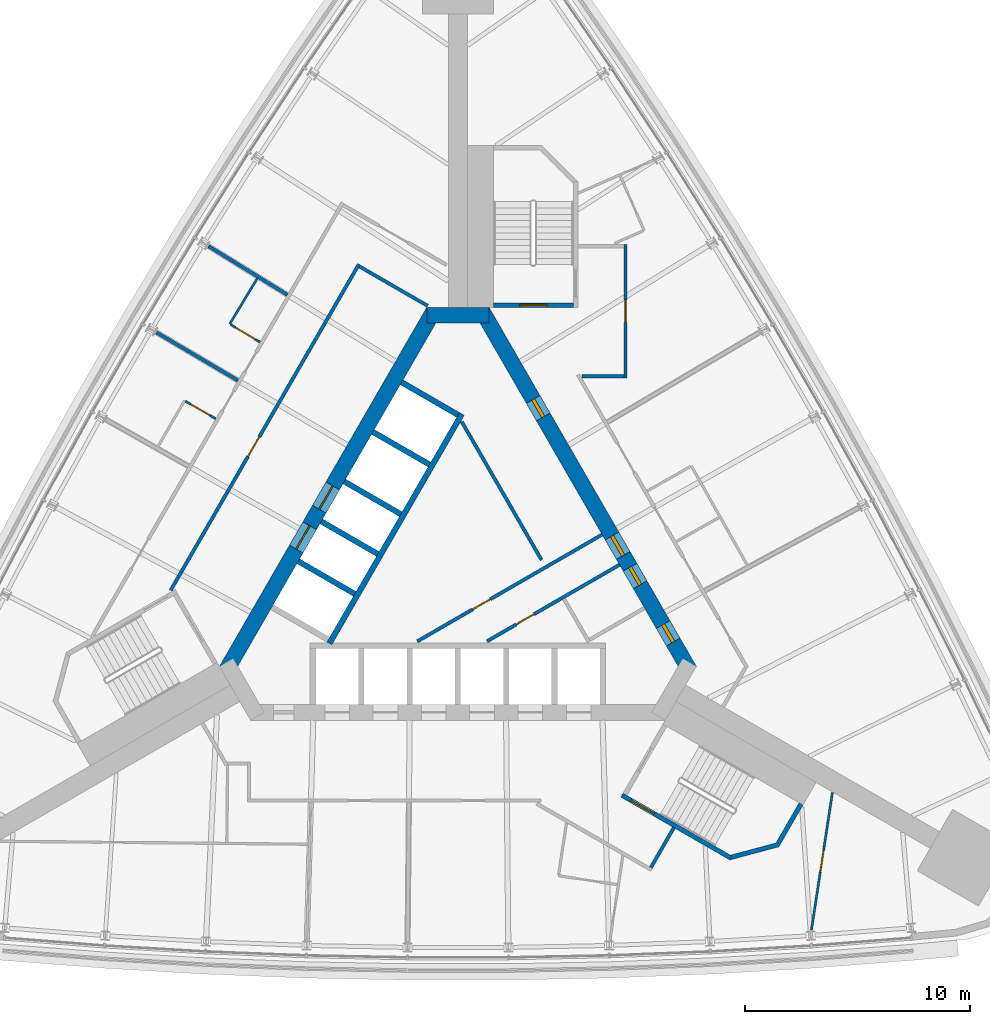
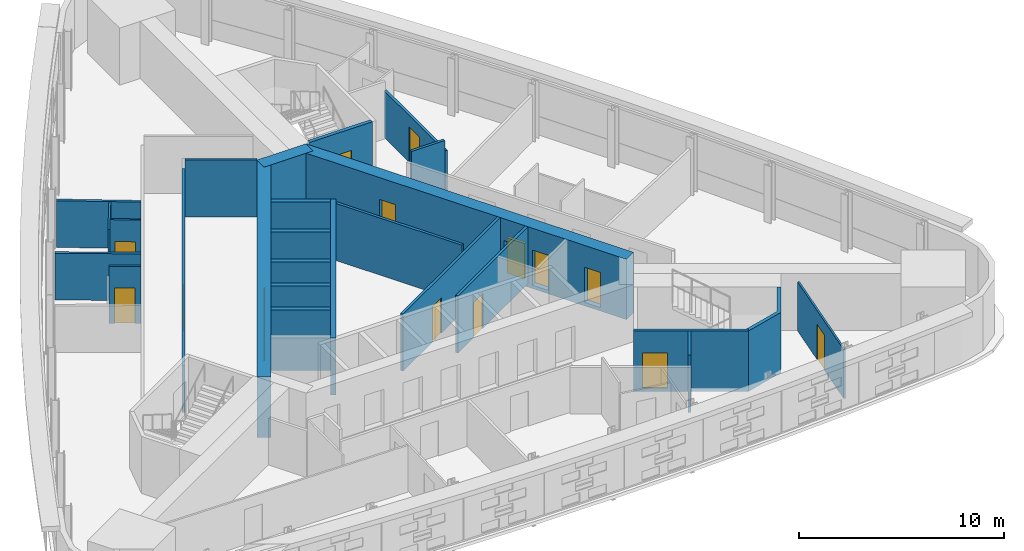
# One storey, part 9 of 13: 26 walls, 15 doors, 15 openings.
"""IFC4 building model written with IfcOpenShell, lengths in metres."""

import ifcopenshell
import ifcopenshell.guid

model = None  # the IFC model being written
_history = None  # IfcOwnerHistory: only IFC2X3 demands one
_inside = {}  # id of a spatial element -> (the spatial element, [elements in it])
_under = {}  # id of a project, library or spatial element -> (it, [spatial elements below it])
_declared = {}  # id of a project -> (the project, [libraries it declares])
_typed = {}  # id of a type object -> (the type object, [elements of that type])
_made_of = {}  # id of a material, layer set ... -> (it, [elements and type objects made of it])


def new_model(schema):
    """Start an empty IFC model of exactly this schema.

    Asked for "IFC4X3", IfcOpenShell would pick the latest addendum, in which some entities
    have other attributes; the version numbers below select the first issue.
    IFC2X3 requires an IfcOwnerHistory on every rooted entity: one is made here for all.
    """
    global model, _history
    if schema == "IFC4X3":
        model = ifcopenshell.file(schema_version=(4, 3, 0, 0))
    else:
        model = ifcopenshell.file(schema=schema)
    _inside.clear()
    _under.clear()
    _declared.clear()
    _typed.clear()
    _made_of.clear()
    _history = None
    if model.schema == "IFC2X3":
        org = make("IfcOrganization", Name="unknown")
        user = make(
            "IfcPersonAndOrganization",
            ThePerson=make("IfcPerson", FamilyName="unknown"),
            TheOrganization=org,
        )
        app = make(
            "IfcApplication",
            ApplicationDeveloper=org,
            Version="unknown",
            ApplicationFullName="unknown",
            ApplicationIdentifier="unknown",
        )
        _history = make(
            "IfcOwnerHistory",
            OwningUser=user,
            OwningApplication=app,
            ChangeAction="ADDED",
            CreationDate=0,
        )
    return model


def make(cls, **values):
    """One entity of the class cls with the attributes given. An attribute that is None is left unset."""
    return model.create_entity(
        cls, **{name: value for name, value in values.items() if value is not None}
    )


def rooted(cls, **values):
    """An entity with a GlobalId (a new one), such as an element, a storey or a relation."""
    return make(cls, GlobalId=ifcopenshell.guid.new(), OwnerHistory=_history, **values)


def si_unit(unit_type, name, prefix=None):
    """IfcSIUnit, for example si_unit("LENGTHUNIT", "METRE", prefix="MILLI")."""
    return make("IfcSIUnit", UnitType=unit_type, Prefix=prefix, Name=name)


def assignment(units):
    """IfcUnitAssignment: the units of a project."""
    return None if units is None else make("IfcUnitAssignment", Units=units)


def point(xyz):
    """IfcCartesianPoint."""
    return None if xyz is None else make("IfcCartesianPoint", Coordinates=xyz)


def direction(xyz):
    """IfcDirection."""
    return None if xyz is None else make("IfcDirection", DirectionRatios=xyz)


def frame(location, z_axis=None, x_axis=None):
    """IfcAxis2Placement3D, a coordinate frame: its origin and axes. An axis left out is left unset."""
    return make(
        "IfcAxis2Placement3D",
        Location=point(location),
        Axis=direction(z_axis),
        RefDirection=direction(x_axis),
    )


def frame_2d(location, x_axis=None):
    """IfcAxis2Placement2D, a coordinate frame in the plane: its origin and x axis."""
    return make(
        "IfcAxis2Placement2D", Location=point(location), RefDirection=direction(x_axis)
    )


def origin():
    """The frame at (0, 0, 0) with its axes left unset."""
    return frame((0.0, 0.0, 0.0))


def place(relative_to, where):
    """IfcLocalPlacement: puts the frame where relative to a parent placement (None: the world)."""
    return make(
        "IfcLocalPlacement", PlacementRelTo=relative_to, RelativePlacement=where
    )


def context(
    kind, dimensions, precision=None, world=None, true_north=None, identifier=None
):
    """IfcGeometricRepresentationContext, for example the 3D "Model" context."""
    return make(
        "IfcGeometricRepresentationContext",
        ContextIdentifier=identifier,
        ContextType=kind,
        CoordinateSpaceDimension=dimensions,
        Precision=precision,
        WorldCoordinateSystem=world,
        TrueNorth=true_north,
    )


def subcontext(parent, identifier, kind, view, scale=None):
    """IfcGeometricRepresentationSubContext, for example "Body" below "Model"."""
    return make(
        "IfcGeometricRepresentationSubContext",
        ContextIdentifier=identifier,
        ContextType=kind,
        ParentContext=parent,
        TargetScale=scale,
        TargetView=view,
    )


def project(units=None, contexts=None):
    """IfcProject with its units and contexts."""
    return rooted(
        "IfcProject",
        Name="project",
        RepresentationContexts=contexts,
        UnitsInContext=assignment(units),
    )


def spatial(cls, under=None, at=None, **own):
    """A site, building, storey or space (cls), placed at a placement, below another one or the project."""
    s = rooted(cls, ObjectPlacement=at, **own)
    if under is not None:
        _under.setdefault(under.id(), (under, []))[1].append(s)
    return s


def polyline(points):
    """IfcPolyline through the points."""
    return make("IfcPolyline", Points=[point(p) for p in points])


def profile(cls, at=None, kind="AREA", **sizes):
    """A parametric profile (cls). Its sizes go by their IFC names, for example OverallWidth=200.0."""
    return make(cls, ProfileType=kind, Position=at, **sizes)


def rectangle(**sizes):
    """IfcRectangleProfileDef."""
    return profile("IfcRectangleProfileDef", **sizes)


def outline(outer, holes=None, kind="AREA"):
    """IfcArbitraryClosedProfileDef: a profile drawn as a closed curve; with holes, ...WithVoids."""
    if holes is None:
        return make("IfcArbitraryClosedProfileDef", ProfileType=kind, OuterCurve=outer)
    return make(
        "IfcArbitraryProfileDefWithVoids",
        ProfileType=kind,
        OuterCurve=outer,
        InnerCurves=holes,
    )


def extrude(swept, where, along, depth):
    """IfcExtrudedAreaSolid: the profile swept, set in the frame where, extruded along a direction by depth."""
    return make(
        "IfcExtrudedAreaSolid",
        SweptArea=swept,
        Position=where,
        ExtrudedDirection=direction(along),
        Depth=depth,
    )


def shape(context_of_items, identifier, shape_type, items):
    """IfcShapeRepresentation: the items that make up one representation, for example the "Body"."""
    return make(
        "IfcShapeRepresentation",
        ContextOfItems=context_of_items,
        RepresentationIdentifier=identifier,
        RepresentationType=shape_type,
        Items=items,
    )


def material(Name=None, Category=None):
    """IfcMaterial."""
    return make("IfcMaterial", Name=Name, Category=Category)


def layer(
    of_material, thickness, ventilated=None, Name=None, Category=None, Priority=None
):
    """IfcMaterialLayer: one layer of a wall or slab, of a material (None: an air gap)."""
    return make(
        "IfcMaterialLayer",
        Material=of_material,
        LayerThickness=thickness,
        IsVentilated=ventilated,
        Name=Name,
        Category=Category,
        Priority=Priority,
    )


def layer_set(layers, Name=None):
    """IfcMaterialLayerSet."""
    return make("IfcMaterialLayerSet", MaterialLayers=layers, LayerSetName=Name)


def made_of(thing, what):
    """Note that an element or type object is made of a material, layer set ...; save() writes the relation."""
    if what is not None:
        _made_of.setdefault(what.id(), (what, []))[1].append(thing)
    return thing


def type_object(cls, material=None, **own):
    """A type object (cls), such as IfcWallType, which elements share."""
    return made_of(rooted(cls, **own), material)


def element(
    cls,
    number,
    at=None,
    inside=None,
    cuts=None,
    type_object=None,
    material=None,
    context=None,
    identifier="Body",
    shape_type=None,
    held_by="IfcProductDefinitionShape",
    body=None,
    shapes=None,
    **own,
):
    """One element of the class cls, such as IfcWall. Its Tag is "e" and its number.

    at: its placement. inside: the storey or other place that contains it. cuts: it is an
    opening in that element (IfcRelVoidsElement). A single representation is given by context,
    identifier, shape_type and body (its items); several are given by shapes. held_by: the class
    of the entity that holds the representations. save() writes the other relations.
    """
    e = rooted(cls, Tag="e%d" % number, ObjectPlacement=at, **own)
    if body is not None:
        shapes = [shape(context, identifier, shape_type, body)]
    if shapes is not None:
        e.Representation = make(held_by, Representations=shapes)
    if inside is not None:
        _inside.setdefault(inside.id(), (inside, []))[1].append(e)
    if cuts is not None:
        rooted(
            "IfcRelVoidsElement", RelatingBuildingElement=cuts, RelatedOpeningElement=e
        )
    if type_object is not None:
        _typed.setdefault(type_object.id(), (type_object, []))[1].append(e)
    return made_of(e, material)


def fill(opening, filler):
    """IfcRelFillsElement: the door or window that sits in an opening."""
    return rooted(
        "IfcRelFillsElement",
        RelatingOpeningElement=opening,
        RelatedBuildingElement=filler,
    )


def aggregate(whole, parts):
    """IfcRelAggregates: a whole, such as a stair, and the parts it consists of."""
    return rooted("IfcRelAggregates", RelatingObject=whole, RelatedObjects=parts)


def save(model, path):
    """Write the relations noted so far, then the file.

    IfcRelAggregates (storeys below a building ...), IfcRelContainedInSpatialStructure (elements
    in a storey), IfcRelDefinesByType, IfcRelAssociatesMaterial and IfcRelDeclares: one each for
    every whole, place, type object, material and project.
    """
    for whole, parts in _under.values():
        aggregate(whole, parts)
    for where, things in _inside.values():
        rooted(
            "IfcRelContainedInSpatialStructure",
            RelatedElements=things,
            RelatingStructure=where,
        )
    for kind, things in _typed.values():
        rooted("IfcRelDefinesByType", RelatedObjects=things, RelatingType=kind)
    for what, things in _made_of.values():
        rooted("IfcRelAssociatesMaterial", RelatedObjects=things, RelatingMaterial=what)
    for by, libraries in _declared.values():
        rooted("IfcRelDeclares", RelatingContext=by, RelatedDefinitions=libraries)
    model.write(path)


model = new_model("IFC4")

# Units and contexts
model_context = context("Model", 3, precision=1e-05, world=origin(), true_north=direction((0.0, 1.0)))
body_context = subcontext(model_context, "Body", "Model", "MODEL_VIEW")
ifc_project = project(units=[si_unit("LENGTHUNIT", "METRE"), si_unit("AREAUNIT", "SQUARE_METRE"), si_unit("VOLUMEUNIT", "CUBIC_METRE"), si_unit("PLANEANGLEUNIT", "RADIAN"), si_unit("MASSUNIT", "GRAM", prefix="KILO")], contexts=[model_context])

# Site, building, storey
site_placement = place(None, origin())
site = spatial("IfcSite", under=ifc_project, at=site_placement, CompositionType="ELEMENT")
building_placement = place(site_placement, origin())
building = spatial("IfcBuilding", under=site, at=building_placement, Name="Noor Cloister Tower", CompositionType="ELEMENT")
storey_placement = place(building_placement, frame((0.0, 0.0, 79.800048828125)))
storey = spatial("IfcBuildingStorey", under=building, at=storey_placement, Name="L20", CompositionType="ELEMENT", Elevation=79.800048828125)

# Wall, opening, door
ifc_material_1 = material(Name="Concrete C30/37", Category="concrete")
ifc_layer_1 = layer(ifc_material_1, 0.14990234375)
ifc_layer_set_1 = layer_set([ifc_layer_1], Name="Core partition 150 C30/37")
wall_type_1 = type_object("IfcWallType", Name="Core partition 150 C30/37", PredefinedType="PARTITIONING", material=ifc_layer_set_1)
wall_1_placement = place(storey_placement, frame((-1.804443359375, -3.4130859375, 0.0), z_axis=(0.0, 0.0, 1.0), x_axis=(0.866035761792, 0.499982058975, 0.0)))
wall_1 = element("IfcWall", 1, at=wall_1_placement, inside=storey, type_object=wall_type_1, Name="Core room partition L20 1", PredefinedType="PARTITIONING", context=body_context, shape_type="SweptSolid", body=[
    extrude(rectangle(XDim=9.497314453125, YDim=0.14990234375, at=frame_2d((4.74853515625, 0.0))), origin(), (0.0, 0.0, 1.0), 3.39990234375),
])
opening_1_placement = place(wall_1_placement, frame((2.849609375, 0.0, 0.0)))
opening_1 = element("IfcOpeningElement", 2, at=opening_1_placement, cuts=wall_1, Name="Opening L20-906", PredefinedType="OPENING", context=body_context, shape_type="SweptSolid", body=[
    extrude(rectangle(XDim=0.89990234375, YDim=2.10009765625, at=frame_2d((0.449951171875, 1.050048828125))), frame((0.0, 0.0849609375, 0.0), z_axis=(0.0, -1.0, 0.0), x_axis=(1.0, 0.0, 0.0)), (0.0, 0.0, 1.0), 0.169921875),
])
ifc_material_2 = material(Name="Steel", Category="steel")
door_type_1 = type_object("IfcDoorType", Name="Core door 900 x 2100 FD60", OperationType="SINGLE_SWING_LEFT", PredefinedType="DOOR", material=ifc_material_2)
door_1_placement = place(opening_1_placement, origin())
door_1 = element("IfcDoor", 3, at=door_1_placement, inside=storey, type_object=door_type_1, Name="Core door 6 L20", OperationType="SINGLE_SWING_RIGHT", OverallHeight=2.10009765625, OverallWidth=0.89990234375, PredefinedType="DOOR", context=body_context, shape_type="SweptSolid", body=[
    extrude(rectangle(XDim=0.89990234375, YDim=2.10009765625, at=frame_2d((0.449951171875, 1.050048828125))), frame((0.0, 0.02490234375, 0.0), z_axis=(0.0, -1.0, 0.0), x_axis=(1.0, 0.0, 0.0)), (0.0, 0.0, 1.0), 0.050048828125),
])
fill(opening_1, door_1)

# Wall
wall_2_placement = place(storey_placement, frame((3.7216796875, 0.210205078125, 0.0), z_axis=(0.0, 0.0, 1.0), x_axis=(-0.500005825834, 0.866022040212, 0.0)))
element("IfcWall", 4, at=wall_2_placement, inside=storey, type_object=wall_type_1, Name="Core room partition L20 2", PredefinedType="PARTITIONING", context=body_context, shape_type="SweptSolid", body=[
    extrude(rectangle(XDim=7.10986328125, YDim=0.14990234375, at=frame_2d((3.554931640625, 0.0))), origin(), (0.0, 0.0, 1.0), 3.39990234375),
])

# Wall, opening, door
wall_3_placement = place(storey_placement, frame((1.295654296875, -3.4130859375, 0.0), z_axis=(0.0, 0.0, 1.0), x_axis=(0.866029230515, 0.49999337185, 0.0)))
wall_3 = element("IfcWall", 5, at=wall_3_placement, inside=storey, type_object=wall_type_1, Name="Core room partition L20 3", PredefinedType="PARTITIONING", context=body_context, shape_type="SweptSolid", body=[
    extrude(rectangle(XDim=6.8125, YDim=0.14990234375, at=frame_2d((3.40625, 0.0))), origin(), (0.0, 0.0, 1.0), 3.39990234375),
])
opening_2_placement = place(wall_3_placement, frame((1.50732421875, 0.0, 0.0)))
opening_2 = element("IfcOpeningElement", 6, at=opening_2_placement, cuts=wall_3, Name="Opening L20-905", PredefinedType="OPENING", context=body_context, shape_type="SweptSolid", body=[
    extrude(rectangle(XDim=0.89990234375, YDim=2.10009765625, at=frame_2d((0.449951171875, 1.050048828125))), frame((0.0, 0.0849609375, 0.0), z_axis=(0.0, -1.0, 0.0), x_axis=(1.0, 0.0, 0.0)), (0.0, 0.0, 1.0), 0.169921875),
])
ifc_material_3 = material(Name="Steel", Category="steel")
door_type_2 = type_object("IfcDoorType", Name="Core door 900 x 2100 FD120", OperationType="SINGLE_SWING_LEFT", PredefinedType="DOOR", material=ifc_material_3)
door_2_placement = place(opening_2_placement, origin())
door_2 = element("IfcDoor", 7, at=door_2_placement, inside=storey, type_object=door_type_2, Name="Core door 5 L20", OperationType="SINGLE_SWING_LEFT", OverallHeight=2.10009765625, OverallWidth=0.89990234375, PredefinedType="DOOR", context=body_context, shape_type="SweptSolid", body=[
    extrude(rectangle(XDim=0.89990234375, YDim=2.10009765625, at=frame_2d((0.449951171875, 1.050048828125))), frame((0.0, 0.02490234375, 0.0), z_axis=(0.0, -1.0, 0.0), x_axis=(1.0, 0.0, 0.0)), (0.0, 0.0, 1.0), 0.050048828125),
])
fill(opening_2, door_2)

# Wall, openings, doors
ifc_material_4 = material(Name="Concrete C80/95", Category="concrete")
ifc_layer_2 = layer(ifc_material_4, 0.699951171875)
ifc_layer_set_2 = layer_set([ifc_layer_2], Name="Core wall 700 C80/95")
wall_type_2 = type_object("IfcWallType", Name="Core wall 700 C80/95", PredefinedType="SHEAR", material=ifc_layer_set_2)
wall_4_placement = place(storey_placement, frame((10.311279296875, -4.703125, -0.199951171875), z_axis=(0.0, 0.0, 1.0), x_axis=(-0.500001446645, 0.866024568562, 0.0)))
wall_4 = element("IfcWall", 8, at=wall_4_placement, inside=storey, type_object=wall_type_2, Name="Core wall L20 3", PredefinedType="SHEAR", context=body_context, shape_type="SweptSolid", body=[
    extrude(rectangle(XDim=18.45751953125, YDim=0.699951171875, at=frame_2d((9.228759765625, 0.0))), origin(), (0.0, 0.0, 1.0), 3.599853515625),
])
opening_3_placement = place(wall_4_placement, frame((5.89990234375, 0.0, 0.199951171875)))
opening_3 = element("IfcOpeningElement", 9, at=opening_3_placement, cuts=wall_4, Name="Opening L20-901", PredefinedType="OPENING", context=body_context, shape_type="SweptSolid", body=[
    extrude(rectangle(XDim=1.0, YDim=2.10009765625, at=frame_2d((0.5, 1.050048828125))), frame((0.0, 0.35986328125, 0.0), z_axis=(0.0, -1.0, 0.0), x_axis=(1.0, 0.0, 0.0)), (0.0, 0.0, 1.0), 0.719970703125),
])
opening_4_placement = place(wall_4_placement, frame((1.451904296875, 0.0, 0.199951171875)))
opening_4 = element("IfcOpeningElement", 10, at=opening_4_placement, cuts=wall_4, Name="Opening L20-902", PredefinedType="OPENING", context=body_context, shape_type="SweptSolid", body=[
    extrude(rectangle(XDim=0.89990234375, YDim=2.10009765625, at=frame_2d((0.449951171875, 1.050048828125))), frame((0.0, 0.35986328125, 0.0), z_axis=(0.0, -1.0, 0.0), x_axis=(1.0, 0.0, 0.0)), (0.0, 0.0, 1.0), 0.719970703125),
])
opening_5_placement = place(wall_4_placement, frame((4.39599609375, 0.0, 0.199951171875)))
opening_5 = element("IfcOpeningElement", 11, at=opening_5_placement, cuts=wall_4, Name="Opening L20-903", PredefinedType="OPENING", context=body_context, shape_type="SweptSolid", body=[
    extrude(rectangle(XDim=0.89990234375, YDim=2.10009765625, at=frame_2d((0.449951171875, 1.050048828125))), frame((0.0, 0.35986328125, 0.0), z_axis=(0.0, -1.0, 0.0), x_axis=(1.0, 0.0, 0.0)), (0.0, 0.0, 1.0), 0.719970703125),
])
opening_6_placement = place(wall_4_placement, frame((13.022705078125, 0.0, 0.199951171875)))
opening_6 = element("IfcOpeningElement", 12, at=opening_6_placement, cuts=wall_4, Name="Opening L20-904", PredefinedType="OPENING", context=body_context, shape_type="SweptSolid", body=[
    extrude(rectangle(XDim=0.89990234375, YDim=2.10009765625, at=frame_2d((0.449951171875, 1.050048828125))), frame((0.0, 0.35986328125, 0.0), z_axis=(0.0, -1.0, 0.0), x_axis=(1.0, 0.0, 0.0)), (0.0, 0.0, 1.0), 0.719970703125),
])
ifc_material_5 = material(Name="Steel", Category="steel")
door_type_3 = type_object("IfcDoorType", Name="Core door 1000 x 2100 FD120", OperationType="SINGLE_SWING_LEFT", PredefinedType="DOOR", material=ifc_material_5)
door_3_placement = place(opening_3_placement, origin())
door_3 = element("IfcDoor", 13, at=door_3_placement, inside=storey, type_object=door_type_3, Name="Core door 1 L20", OperationType="SINGLE_SWING_LEFT", OverallHeight=2.10009765625, OverallWidth=1.0, PredefinedType="DOOR", context=body_context, shape_type="SweptSolid", body=[
    extrude(rectangle(XDim=1.0, YDim=2.10009765625, at=frame_2d((0.5, 1.050048828125))), frame((0.0, 0.074951171875, 0.0), z_axis=(0.0, -1.0, 0.0), x_axis=(1.0, 0.0, 0.0)), (0.0, 0.0, 1.0), 0.14990234375),
])
fill(opening_3, door_3)
door_4_placement = place(opening_5_placement, origin())
door_4 = element("IfcDoor", 14, at=door_4_placement, inside=storey, type_object=door_type_2, Name="Core door 3 L20", OperationType="SINGLE_SWING_LEFT", OverallHeight=2.10009765625, OverallWidth=0.89990234375, PredefinedType="DOOR", context=body_context, shape_type="SweptSolid", body=[
    extrude(rectangle(XDim=0.89990234375, YDim=2.10009765625, at=frame_2d((0.449951171875, 1.050048828125))), frame((0.0, 0.074951171875, 0.0), z_axis=(0.0, -1.0, 0.0), x_axis=(1.0, 0.0, 0.0)), (0.0, 0.0, 1.0), 0.14990234375),
])
fill(opening_5, door_4)
door_5_placement = place(opening_6_placement, origin())
door_5 = element("IfcDoor", 15, at=door_5_placement, inside=storey, type_object=door_type_2, Name="Core door 4 L20", OperationType="SINGLE_SWING_RIGHT", OverallHeight=2.10009765625, OverallWidth=0.89990234375, PredefinedType="DOOR", context=body_context, shape_type="SweptSolid", body=[
    extrude(rectangle(XDim=0.89990234375, YDim=2.10009765625, at=frame_2d((0.449951171875, 1.050048828125))), frame((0.0, 0.074951171875, 0.0), z_axis=(0.0, -1.0, 0.0), x_axis=(1.0, 0.0, 0.0)), (0.0, 0.0, 1.0), 0.14990234375),
])
fill(opening_6, door_5)
door_6_placement = place(opening_4_placement, origin())
door_6 = element("IfcDoor", 16, at=door_6_placement, inside=storey, type_object=door_type_1, Name="Core door 2 L20", OperationType="SINGLE_SWING_RIGHT", OverallHeight=2.10009765625, OverallWidth=0.89990234375, PredefinedType="DOOR", context=body_context, shape_type="SweptSolid", body=[
    extrude(rectangle(XDim=0.89990234375, YDim=2.10009765625, at=frame_2d((0.449951171875, 1.050048828125))), frame((0.0, 0.074951171875, 0.0), z_axis=(0.0, -1.0, 0.0), x_axis=(1.0, 0.0, 0.0)), (0.0, 0.0, 1.0), 0.14990234375),
])
fill(opening_4, door_6)

# Wall
wall_5_placement = place(storey_placement, frame((1.3857421875, 11.1064453125, -0.199951171875), z_axis=(0.0, 0.0, 1.0), x_axis=(-1.0, 0.0, 0.0)))
element("IfcWall", 17, at=wall_5_placement, inside=storey, type_object=wall_type_2, Name="Core wall L20 4", PredefinedType="SHEAR", context=body_context, shape_type="SweptSolid", body=[
    extrude(rectangle(XDim=2.771484375, YDim=0.699951171875, at=frame_2d((1.3857421875, 0.0))), origin(), (0.0, 0.0, 1.0), 3.599853515625),
])

# Wall, openings, doors
wall_6_placement = place(storey_placement, frame((-1.08251953125, 11.281494140625, -0.199951171875), z_axis=(0.0, 0.0, 1.0), x_axis=(-0.500001446645, -0.866024568562, 0.0)))
wall_6 = element("IfcWall", 18, at=wall_6_placement, inside=storey, type_object=wall_type_2, Name="Core wall L20 5", PredefinedType="SHEAR", context=body_context, shape_type="SweptSolid", body=[
    extrude(rectangle(XDim=18.45751953125, YDim=0.699951171875, at=frame_2d((9.228759765625, 0.0))), origin(), (0.0, 0.0, 1.0), 3.599853515625),
])
opening_7_placement = place(wall_6_placement, frame((8.978759765625, 0.0, 0.199951171875)))
opening_7 = element("IfcOpeningElement", 19, at=opening_7_placement, cuts=wall_6, Name="Opening L20-FF1", PredefinedType="OPENING", context=body_context, shape_type="SweptSolid", body=[
    extrude(rectangle(XDim=1.199951171875, YDim=2.10009765625, at=frame_2d((0.60009765625, 1.050048828125))), frame((0.0, 0.35986328125, 0.0), z_axis=(0.0, -1.0, 0.0), x_axis=(1.0, 0.0, 0.0)), (0.0, 0.0, 1.0), 0.719970703125),
])
opening_8_placement = place(wall_6_placement, frame((11.02880859375, 0.0, 0.199951171875)))
opening_8 = element("IfcOpeningElement", 20, at=opening_8_placement, cuts=wall_6, Name="Opening L20-FF2", PredefinedType="OPENING", context=body_context, shape_type="SweptSolid", body=[
    extrude(rectangle(XDim=1.199951171875, YDim=2.10009765625, at=frame_2d((0.60009765625, 1.050048828125))), frame((0.0, 0.35986328125, 0.0), z_axis=(0.0, -1.0, 0.0), x_axis=(1.0, 0.0, 0.0)), (0.0, 0.0, 1.0), 0.719970703125),
])
ifc_material_6 = material(Name="Stainless steel", Category="steel")
door_type_4 = type_object("IfcDoorType", Name="Lift landing door 1200 x 2100", OperationType="DOUBLE_DOOR_SLIDING", PredefinedType="DOOR", material=ifc_material_6)
door_7_placement = place(opening_7_placement, origin())
door_7 = element("IfcDoor", 21, at=door_7_placement, inside=storey, type_object=door_type_4, Name="Landing door FF1 L20", OperationType="DOUBLE_DOOR_SLIDING", OverallHeight=2.10009765625, OverallWidth=1.199951171875, PredefinedType="DOOR", context=body_context, shape_type="SweptSolid", body=[
    extrude(rectangle(XDim=1.199951171875, YDim=2.10009765625, at=frame_2d((0.60009765625, 1.050048828125))), frame((0.0, 0.02490234375, 0.0), z_axis=(0.0, -1.0, 0.0), x_axis=(1.0, 0.0, 0.0)), (0.0, 0.0, 1.0), 0.050048828125),
])
fill(opening_7, door_7)
door_8_placement = place(opening_8_placement, origin())
door_8 = element("IfcDoor", 22, at=door_8_placement, inside=storey, type_object=door_type_4, Name="Landing door FF2 L20", OperationType="DOUBLE_DOOR_SLIDING", OverallHeight=2.10009765625, OverallWidth=1.199951171875, PredefinedType="DOOR", context=body_context, shape_type="SweptSolid", body=[
    extrude(rectangle(XDim=1.199951171875, YDim=2.10009765625, at=frame_2d((0.60009765625, 1.050048828125))), frame((0.0, 0.02490234375, 0.0), z_axis=(0.0, -1.0, 0.0), x_axis=(1.0, 0.0, 0.0)), (0.0, 0.0, 1.0), 0.050048828125),
])
fill(opening_8, door_8)

# Wall, opening, door
ifc_material_7 = material(Name="Fire-rated gypsum board partition on steel studs, 150 mm", Category="steel")
ifc_layer_3 = layer(ifc_material_7, 0.14990234375)
ifc_layer_set_3 = layer_set([ifc_layer_3], Name="Fire lobby wall 150")
wall_type_3 = type_object("IfcWallType", Name="Fire lobby wall 150", PredefinedType="PARTITIONING", material=ifc_layer_set_3)
wall_7_placement = place(storey_placement, frame((-4.40673828125, 13.373779296875, 0.0), z_axis=(0.0, 0.0, 1.0), x_axis=(-0.499997181693, -0.866027030928, 0.0)))
wall_7 = element("IfcWall", 23, at=wall_7_placement, inside=storey, type_object=wall_type_3, Name="Fire lobby wall 150 L20 002", PredefinedType="PARTITIONING", context=body_context, shape_type="SweptSolid", body=[
    extrude(rectangle(XDim=16.76953125, YDim=0.14990234375, at=frame_2d((8.384765625, 0.0))), origin(), (0.0, 0.0, 1.0), 2.77783203125),
])
opening_9_placement = place(wall_7_placement, frame((8.878662109375, 0.0, 0.0)))
opening_9 = element("IfcOpeningElement", 24, at=opening_9_placement, cuts=wall_7, Name="Opening L20-004", PredefinedType="OPENING", context=body_context, shape_type="SweptSolid", body=[
    extrude(rectangle(XDim=1.0, YDim=2.10009765625, at=frame_2d((0.5, 1.050048828125))), frame((0.0, 0.0849609375, 0.0), z_axis=(0.0, -1.0, 0.0), x_axis=(1.0, 0.0, 0.0)), (0.0, 0.0, 1.0), 0.169921875),
])
ifc_material_8 = material(Name="Timber door leaf with steel frame", Category="steel")
door_type_5 = type_object("IfcDoorType", Name="Fire lobby door 1000", OperationType="NOTDEFINED", PredefinedType="DOOR", material=ifc_material_8)
door_9_placement = place(opening_9_placement, origin())
door_9 = element("IfcDoor", 25, at=door_9_placement, inside=storey, type_object=door_type_5, Name="Fire lobby door 1000 L20-004", OperationType="SINGLE_SWING_RIGHT", OverallHeight=2.10009765625, OverallWidth=1.0, PredefinedType="DOOR", context=body_context, shape_type="SweptSolid", body=[
    extrude(rectangle(XDim=1.0, YDim=2.10009765625, at=frame_2d((0.5, 1.050048828125))), frame((0.0, 0.02490234375, 0.0), z_axis=(0.0, -1.0, 0.0), x_axis=(1.0, 0.0, 0.0)), (0.0, 0.0, 1.0), 0.050048828125),
])
fill(opening_9, door_9)

# Wall
wall_8_placement = place(storey_placement, frame((-4.379150390625, 13.271484375, 0.0), z_axis=(0.0, 0.0, 1.0), x_axis=(0.866019471182, -0.500010275428, 0.0)))
element("IfcWall", 26, at=wall_8_placement, inside=storey, type_object=wall_type_3, Name="Fire lobby wall 150 L20 008", PredefinedType="PARTITIONING", context=body_context, shape_type="SweptSolid", body=[
    extrude(rectangle(XDim=3.5, YDim=0.14990234375, at=frame_2d((1.75, 0.0))), origin(), (0.0, 0.0, 1.0), 3.39990234375),
])

# Wall, opening, door
ifc_material_9 = material(Name="Gypsum board partition on steel studs, 150 mm", Category="steel")
ifc_layer_4 = layer(ifc_material_9, 0.14990234375)
ifc_layer_set_4 = layer_set([ifc_layer_4], Name="Flat wall 150")
wall_type_4 = type_object("IfcWallType", Name="Flat wall 150", PredefinedType="PARTITIONING", material=ifc_layer_set_4)
wall_9_placement = place(storey_placement, frame((7.460693359375, 14.25634765625, 0.0), z_axis=(0.0, 0.0, 1.0), x_axis=(0.0, -1.0, 0.0)))
wall_9 = element("IfcWall", 27, at=wall_9_placement, inside=storey, type_object=wall_type_4, Name="Flat wall 150 L20 005", PredefinedType="PARTITIONING", context=body_context, shape_type="SweptSolid", body=[
    extrude(rectangle(XDim=5.949951171875, YDim=0.14990234375, at=frame_2d((2.97509765625, 0.0))), origin(), (0.0, 0.0, 1.0), 2.77783203125),
])
opening_10_placement = place(wall_9_placement, frame((2.47509765625, 0.0, 0.0)))
opening_10 = element("IfcOpeningElement", 28, at=opening_10_placement, cuts=wall_9, Name="Opening L20-011", PredefinedType="OPENING", context=body_context, shape_type="SweptSolid", body=[
    extrude(rectangle(XDim=1.0, YDim=2.10009765625, at=frame_2d((0.5, 1.050048828125))), frame((0.0, 0.0849609375, 0.0), z_axis=(0.0, -1.0, 0.0), x_axis=(1.0, 0.0, 0.0)), (0.0, 0.0, 1.0), 0.169921875),
])
ifc_material_10 = material(Name="Timber door leaf with steel frame", Category="steel")
door_type_6 = type_object("IfcDoorType", Name="Flat entrance door 1000 FD60S", OperationType="NOTDEFINED", PredefinedType="DOOR", material=ifc_material_10)
door_10_placement = place(opening_10_placement, origin())
door_10 = element("IfcDoor", 29, at=door_10_placement, inside=storey, type_object=door_type_6, Name="Flat entrance door 1000 L20-011", OperationType="SINGLE_SWING_RIGHT", OverallHeight=2.10009765625, OverallWidth=1.0, PredefinedType="DOOR", context=body_context, shape_type="SweptSolid", body=[
    extrude(rectangle(XDim=1.0, YDim=2.10009765625, at=frame_2d((0.5, 1.050048828125))), frame((0.0, 0.02490234375, 0.0), z_axis=(0.0, -1.0, 0.0), x_axis=(1.0, 0.0, 0.0)), (0.0, 0.0, 1.0), 0.050048828125),
])
fill(opening_10, door_10)

# Walls
wall_10_placement = place(storey_placement, frame((8.588623046875, -13.48681640625, 0.0), z_axis=(0.0, 0.0, 1.0), x_axis=(0.499956128963, 0.866050731258, 0.0)))
element("IfcWall", 30, at=wall_10_placement, inside=storey, type_object=wall_type_4, Name="Flat wall 150 L20 010", PredefinedType="PARTITIONING", context=body_context, shape_type="SweptSolid", body=[
    extrude(rectangle(XDim=2.050048828125, YDim=0.14990234375, at=frame_2d((1.02490234375, 0.0))), origin(), (0.0, 0.0, 1.0), 3.39990234375),
])
wall_11_placement = place(storey_placement, frame((5.513671875, 8.38134765625, 0.0), z_axis=(0.0, 0.0, 1.0), x_axis=(1.0, 0.0, 0.0)))
element("IfcWall", 31, at=wall_11_placement, inside=storey, type_object=wall_type_4, Name="Flat wall 150 L20 013", PredefinedType="PARTITIONING", context=body_context, shape_type="SweptSolid", body=[
    extrude(rectangle(XDim=1.871826171875, YDim=0.14990234375, at=frame_2d((0.93603515625, 0.0))), origin(), (0.0, 0.0, 1.0), 3.39990234375),
])
wall_12_placement = place(storey_placement, frame((-13.421142578125, 10.337646484375, 0.0), z_axis=(0.0, 0.0, 1.0), x_axis=(0.861127198417, -0.508389563372, 0.0)))
element("IfcWall", 32, at=wall_12_placement, inside=storey, type_object=wall_type_4, Name="Flat wall 150 L20 020", PredefinedType="PARTITIONING", context=body_context, shape_type="SweptSolid", body=[
    extrude(rectangle(XDim=4.212890625, YDim=0.14990234375, at=frame_2d((2.1064453125, 0.0))), origin(), (0.0, 0.0, 1.0), 2.77783203125),
])
wall_13_placement = place(storey_placement, frame((-11.103759765625, 14.177001953125, 0.0), z_axis=(0.0, 0.0, 1.0), x_axis=(0.851052327985, -0.525080884276, 0.0)))
element("IfcWall", 33, at=wall_13_placement, inside=storey, type_object=wall_type_4, Name="Flat wall 150 L20 021", PredefinedType="PARTITIONING", context=body_context, shape_type="SweptSolid", body=[
    extrude(rectangle(XDim=4.1259765625, YDim=0.14990234375, at=frame_2d((2.06298828125, 0.0))), origin(), (0.0, 0.0, 1.0), 2.77783203125),
])

# Wall, opening, door
ifc_material_11 = material(Name="Gypsum board partition on steel studs, 100 mm", Category="steel")
ifc_layer_5 = layer(ifc_material_11, 0.10009765625)
ifc_layer_set_5 = layer_set([ifc_layer_5], Name="Partition 100")
wall_type_5 = type_object("IfcWallType", Name="Partition 100", PredefinedType="PARTITIONING", material=ifc_layer_set_5)
wall_14_placement = place(storey_placement, frame((16.673828125, -10.138427734375, 0.0), z_axis=(0.0, 0.0, 1.0), x_axis=(-0.150869779888, -0.98855364524, 0.0)))
wall_14 = element("IfcWall", 34, at=wall_14_placement, inside=storey, type_object=wall_type_5, Name="Partition 100 L20 023", PredefinedType="PARTITIONING", context=body_context, shape_type="SweptSolid", body=[
    extrude(rectangle(XDim=6.1962890625, YDim=0.10009765625, at=frame_2d((3.09814453125, 0.0))), origin(), (0.0, 0.0, 1.0), 2.9228515625),
])
opening_11_placement = place(wall_14_placement, frame((2.58837890625, 0.0, 0.0)))
opening_11 = element("IfcOpeningElement", 35, at=opening_11_placement, cuts=wall_14, Name="Opening L20-014", PredefinedType="OPENING", context=body_context, shape_type="SweptSolid", body=[
    extrude(rectangle(XDim=1.0, YDim=2.10009765625, at=frame_2d((0.5, 1.050048828125))), frame((0.0, 0.06005859375, 0.0), z_axis=(0.0, -1.0, 0.0), x_axis=(1.0, 0.0, 0.0)), (0.0, 0.0, 1.0), 0.1201171875),
])
ifc_material_12 = material(Name="Timber door leaf with steel frame", Category="steel")
door_type_7 = type_object("IfcDoorType", Name="Interior door 1000", OperationType="NOTDEFINED", PredefinedType="DOOR", material=ifc_material_12)
door_11_placement = place(opening_11_placement, origin())
door_11 = element("IfcDoor", 36, at=door_11_placement, inside=storey, type_object=door_type_7, Name="Interior door 1000 L20-014", OperationType="SINGLE_SWING_LEFT", OverallHeight=2.10009765625, OverallWidth=1.0, PredefinedType="DOOR", context=body_context, shape_type="SweptSolid", body=[
    extrude(rectangle(XDim=1.0, YDim=2.10009765625, at=frame_2d((0.5, 1.050048828125))), frame((0.0, 0.02490234375, 0.0), z_axis=(0.0, -1.0, 0.0), x_axis=(1.0, 0.0, 0.0)), (0.0, 0.0, 1.0), 0.050048828125),
])
fill(opening_11, door_11)

# Wall
wall_15_placement = place(storey_placement, frame((-8.929931640625, 12.746826171875, 0.0), z_axis=(0.0, 0.0, 1.0), x_axis=(-0.516762446906, -0.856128829948, 0.0)))
element("IfcWall", 37, at=wall_15_placement, inside=storey, type_object=wall_type_5, Name="Partition 100 L20 032", PredefinedType="PARTITIONING", context=body_context, shape_type="SweptSolid", body=[
    extrude(rectangle(XDim=2.3740234375, YDim=0.10009765625, at=frame_2d((1.18701171875, 0.0))), origin(), (0.0, 0.0, 1.0), 2.77783203125),
])

# Wall, opening, door
wall_16_placement = place(storey_placement, frame((-10.776611328125, 6.49072265625, 0.0), z_axis=(0.0, 0.0, 1.0), x_axis=(-0.865995788838, 0.500051291085, 0.0)))
wall_16 = element("IfcWall", 38, at=wall_16_placement, inside=storey, type_object=wall_type_5, Name="Partition 100 L20 036", PredefinedType="PARTITIONING", context=body_context, shape_type="SweptSolid", body=[
    extrude(rectangle(XDim=1.563720703125, YDim=0.10009765625, at=frame_2d((0.78173828125, 0.0))), origin(), (0.0, 0.0, 1.0), 3.39990234375),
])
opening_12_placement = place(wall_16_placement, frame((0.306884765625, 0.0, 0.0)))
opening_12 = element("IfcOpeningElement", 39, at=opening_12_placement, cuts=wall_16, Name="Opening L20-021", PredefinedType="OPENING", context=body_context, shape_type="SweptSolid", body=[
    extrude(rectangle(XDim=1.0, YDim=2.10009765625, at=frame_2d((0.5, 1.050048828125))), frame((0.0, 0.06005859375, 0.0), z_axis=(0.0, -1.0, 0.0), x_axis=(1.0, 0.0, 0.0)), (0.0, 0.0, 1.0), 0.1201171875),
])
door_12_placement = place(opening_12_placement, origin())
door_12 = element("IfcDoor", 40, at=door_12_placement, inside=storey, type_object=door_type_7, Name="Interior door 1000 L20-021", OperationType="SINGLE_SWING_RIGHT", OverallHeight=2.10009765625, OverallWidth=1.0, PredefinedType="DOOR", context=body_context, shape_type="SweptSolid", body=[
    extrude(rectangle(XDim=1.0, YDim=2.10009765625, at=frame_2d((0.5, 1.050048828125))), frame((0.0, 0.02490234375, 0.0), z_axis=(0.0, -1.0, 0.0), x_axis=(1.0, 0.0, 0.0)), (0.0, 0.0, 1.0), 0.050048828125),
])
fill(opening_12, door_12)

wall_17_placement = place(storey_placement, frame((-10.114013671875, 10.6884765625, 0.0), z_axis=(0.0, 0.0, 1.0), x_axis=(0.856147343639, -0.516731773728, 0.0)))
wall_17 = element("IfcWall", 41, at=wall_17_placement, inside=storey, type_object=wall_type_5, Name="Partition 100 L20 037", PredefinedType="PARTITIONING", context=body_context, shape_type="SweptSolid", body=[
    extrude(rectangle(XDim=1.524169921875, YDim=0.10009765625, at=frame_2d((0.76220703125, 0.0))), origin(), (0.0, 0.0, 1.0), 3.39990234375),
])
opening_13_placement = place(wall_17_placement, frame((0.256103515625, 0.0, 0.0)))
opening_13 = element("IfcOpeningElement", 42, at=opening_13_placement, cuts=wall_17, Name="Opening L20-022", PredefinedType="OPENING", context=body_context, shape_type="SweptSolid", body=[
    extrude(rectangle(XDim=1.0, YDim=2.10009765625, at=frame_2d((0.5, 1.050048828125))), frame((0.0, 0.06005859375, 0.0), z_axis=(0.0, -1.0, 0.0), x_axis=(1.0, 0.0, 0.0)), (0.0, 0.0, 1.0), 0.1201171875),
])
door_13_placement = place(opening_13_placement, origin())
door_13 = element("IfcDoor", 43, at=door_13_placement, inside=storey, type_object=door_type_7, Name="Interior door 1000 L20-022", OperationType="SINGLE_SWING_LEFT", OverallHeight=2.10009765625, OverallWidth=1.0, PredefinedType="DOOR", context=body_context, shape_type="SweptSolid", body=[
    extrude(rectangle(XDim=1.0, YDim=2.10009765625, at=frame_2d((0.5, 1.050048828125))), frame((0.0, 0.02490234375, 0.0), z_axis=(0.0, -1.0, 0.0), x_axis=(1.0, 0.0, 0.0)), (0.0, 0.0, 1.0), 0.050048828125),
])
fill(opening_13, door_13)

# Walls
ifc_material_13 = material(Name="Concrete C80/95", Category="concrete")
ifc_layer_6 = layer(ifc_material_13, 0.25)
ifc_layer_set_6 = layer_set([ifc_layer_6], Name="Shaft wall 250 C80/95")
wall_type_6 = type_object("IfcWallType", Name="Shaft wall 250 C80/95", PredefinedType="PARTITIONING", material=ifc_layer_set_6)
wall_18_placement = place(storey_placement, frame((-2.50634765625, 8.115478515625, -0.199951171875), z_axis=(0.0, 0.0, 1.0), x_axis=(0.865996321171, -0.50005036918, 0.0)))
element("IfcWall", 44, at=wall_18_placement, inside=storey, type_object=wall_type_6, Name="Lift shaft wall L20 NW 1", PredefinedType="PARTITIONING", context=body_context, shape_type="SweptSolid", body=[
    extrude(rectangle(XDim=2.900146484375, YDim=0.25, at=frame_2d((1.4501953125, 0.0))), origin(), (0.0, 0.0, 1.0), 3.599853515625),
])
for number, where, z_axis, x_axis, name in (
    (45, (-3.78125, 5.906982421875, -0.199951171875), (0.0, 0.0, 1.0), (0.866032775405, -0.499987231761, 0.0), "Lift shaft wall L20 NW 2"),
    (46, (-5.056396484375, 3.69873046875, -0.199951171875), (0.0, 0.0, 1.0), (0.866032775405, -0.499987231761, 0.0), "Lift shaft wall L20 NW 3"),
    (47, (-6.081298828125, 1.92333984375, -0.199951171875), (0.0, 0.0, 1.0), (0.866032775405, -0.499987231761, 0.0), "Lift shaft wall L20 NW 4"),
    (48, (-7.106201171875, 0.14794921875, -0.199951171875), (0.0, 0.0, 1.0), (0.866032775405, -0.499987231761, 0.0), "Lift shaft wall L20 NW 5"),
):
    element("IfcWall", number, at=place(storey_placement, frame(where, z_axis=z_axis, x_axis=x_axis)), inside=storey, type_object=wall_type_6, Name=name, PredefinedType="PARTITIONING", context=body_context, shape_type="SweptSolid", body=[
        extrude(rectangle(XDim=2.89990234375, YDim=0.25, at=frame_2d((1.449951171875, 0.0))), origin(), (0.0, 0.0, 1.0), 3.599853515625),
    ])
wall_19_placement = place(storey_placement, frame((0.176025390625, 6.711181640625, 0.0), z_axis=(0.0, 0.0, 1.0), x_axis=(-0.500004227369, -0.866022963098, 0.0)))
element("IfcWall", 49, at=wall_19_placement, inside=storey, type_object=wall_type_6, Name="Lift shaft back wall L20 NW", PredefinedType="PARTITIONING", context=body_context, shape_type="SweptSolid", body=[
    extrude(rectangle(XDim=11.80029296875, YDim=0.25, at=frame_2d((5.900146484375, 0.0))), origin(), (0.0, 0.0, 1.0), 3.39990234375),
])

# Wall, opening, door
ifc_material_14 = material(Name="Concrete C80/95", Category="concrete")
ifc_layer_7 = layer(ifc_material_14, 0.199951171875)
ifc_layer_set_7 = layer_set([ifc_layer_7], Name="Stair enclosure wall 200 C80/95")
wall_type_7 = type_object("IfcWallType", Name="Stair enclosure wall 200 C80/95", PredefinedType="SHEAR", material=ifc_layer_set_7)
wall_20_placement = place(storey_placement, frame((5.135498046875, 11.556396484375, -0.199951171875), z_axis=(0.0, 0.0, 1.0), x_axis=(-1.0, 0.0, 0.0)))
wall_20 = element("IfcWall", 50, at=wall_20_placement, inside=storey, type_object=wall_type_7, Name="Stair enclosure wall ST1 L20 near end", PredefinedType="SHEAR", context=body_context, shape_type="SweptSolid", body=[
    extrude(rectangle(XDim=3.5498046875, YDim=0.199951171875, at=frame_2d((1.77490234375, 0.0))), origin(), (0.0, 0.0, 1.0), 3.599853515625),
])
opening_14_placement = place(wall_20_placement, frame((1.175048828125, 0.0, 0.199951171875)))
opening_14 = element("IfcOpeningElement", 51, at=opening_14_placement, cuts=wall_20, Name="Opening L20-ST1L", PredefinedType="OPENING", context=body_context, shape_type="SweptSolid", body=[
    extrude(rectangle(XDim=1.199951171875, YDim=2.10009765625, at=frame_2d((0.60009765625, 1.050048828125))), frame((0.0, 0.10986328125, 0.0), z_axis=(0.0, -1.0, 0.0), x_axis=(1.0, 0.0, 0.0)), (0.0, 0.0, 1.0), 0.219970703125),
])
ifc_material_15 = material(Name="Steel", Category="steel")
door_type_8 = type_object("IfcDoorType", Name="Stair door 1200 x 2100 FD120", OperationType="SINGLE_SWING_LEFT", PredefinedType="DOOR", material=ifc_material_15)
door_14_placement = place(opening_14_placement, origin())
door_14 = element("IfcDoor", 52, at=door_14_placement, inside=storey, type_object=door_type_8, Name="Stair door ST1 L20", OperationType="SINGLE_SWING_RIGHT", OverallHeight=2.10009765625, OverallWidth=1.199951171875, PredefinedType="DOOR", context=body_context, shape_type="SweptSolid", body=[
    extrude(rectangle(XDim=1.199951171875, YDim=2.10009765625, at=frame_2d((0.60009765625, 1.050048828125))), frame((0.0, 0.02490234375, 0.0), z_axis=(0.0, -1.0, 0.0), x_axis=(1.0, 0.0, 0.0)), (0.0, 0.0, 1.0), 0.050048828125),
])
fill(opening_14, door_14)

wall_21_placement = place(storey_placement, frame((7.3037109375, -10.262451171875, -0.199951171875), z_axis=(0.0, 0.0, 1.0), x_axis=(0.866026594901, -0.49999793692, 0.0)))
wall_21 = element("IfcWall", 53, at=wall_21_placement, inside=storey, type_object=wall_type_7, Name="Stair enclosure wall ST3 L20 outer side", PredefinedType="SHEAR", context=body_context, shape_type="SweptSolid", body=[
    extrude(rectangle(XDim=5.60009765625, YDim=0.199951171875, at=frame_2d((2.800048828125, 0.0))), origin(), (0.0, 0.0, 1.0), 3.599853515625),
])
opening_15_placement = place(wall_21_placement, frame((0.449951171875, 0.0, 0.199951171875)))
opening_15 = element("IfcOpeningElement", 54, at=opening_15_placement, cuts=wall_21, Name="Opening L20-ST3C", PredefinedType="OPENING", context=body_context, shape_type="SweptSolid", body=[
    extrude(rectangle(XDim=1.199951171875, YDim=2.10009765625, at=frame_2d((0.60009765625, 1.050048828125))), frame((0.0, 0.10986328125, 0.0), z_axis=(0.0, -1.0, 0.0), x_axis=(1.0, 0.0, 0.0)), (0.0, 0.0, 1.0), 0.219970703125),
])
door_15_placement = place(opening_15_placement, origin())
door_15 = element("IfcDoor", 55, at=door_15_placement, inside=storey, type_object=door_type_8, Name="Stair door ST3 L20", OperationType="SINGLE_SWING_LEFT", OverallHeight=2.10009765625, OverallWidth=1.199951171875, PredefinedType="DOOR", context=body_context, shape_type="SweptSolid", body=[
    extrude(rectangle(XDim=1.199951171875, YDim=2.10009765625, at=frame_2d((0.60009765625, 1.050048828125))), frame((0.0, 0.02490234375, 0.0), z_axis=(0.0, -1.0, 0.0), x_axis=(1.0, 0.0, 0.0)), (0.0, 0.0, 1.0), 0.050048828125),
])
fill(opening_15, door_15)

# Wall
ifc_material_16 = material(Name="Concrete C80/95", Category="concrete")
wall_type_8 = type_object("IfcWallType", Name="Stair far end wall C80/95", PredefinedType="SHEAR", material=ifc_material_16)
wall_22_placement = place(storey_placement, frame((0.0, 0.0, -0.199951171875)))
element("IfcWall", 56, at=wall_22_placement, inside=storey, type_object=wall_type_8, Name="Stair enclosure wall ST3 L20 far end", PredefinedType="SHEAR", context=body_context, shape_type="SweptSolid", body=[
    extrude(outline(polyline([(12.103515625, -13.14892578125), (14.2890625, -12.5634765625), (15.364013671875, -10.701416015625), (15.19091796875, -10.601318359375), (14.1572265625, -12.3916015625), (12.131591796875, -12.934326171875), (12.20361328125, -12.975830078125), (12.20361328125, -12.975830078125), (12.20361328125, -12.975830078125), (12.20361328125, -12.975830078125), (12.20361328125, -12.975830078125), (12.20361328125, -12.975830078125), (12.20361328125, -12.975830078125), (12.20361328125, -12.975830078125), (12.20361328125, -12.975830078125), (12.20361328125, -12.975830078125), (12.20361328125, -12.975830078125), (12.20361328125, -12.975830078125), (12.20361328125, -12.975830078125), (12.20361328125, -12.975830078125), (12.20361328125, -12.975830078125), (12.20361328125, -12.975830078125), (12.20361328125, -12.975830078125), (12.103515625, -13.14892578125)])), origin(), (0.0, 0.0, 1.0), 3.599853515625),
])

save(model, "model.ifc")
